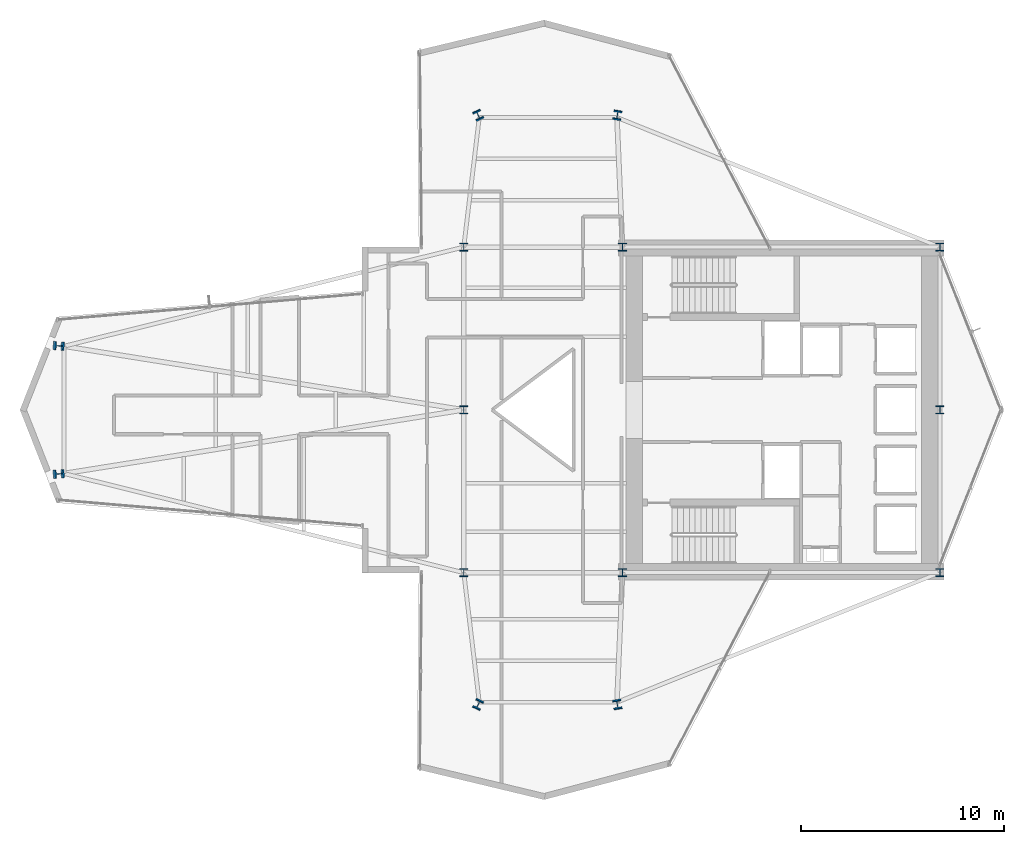
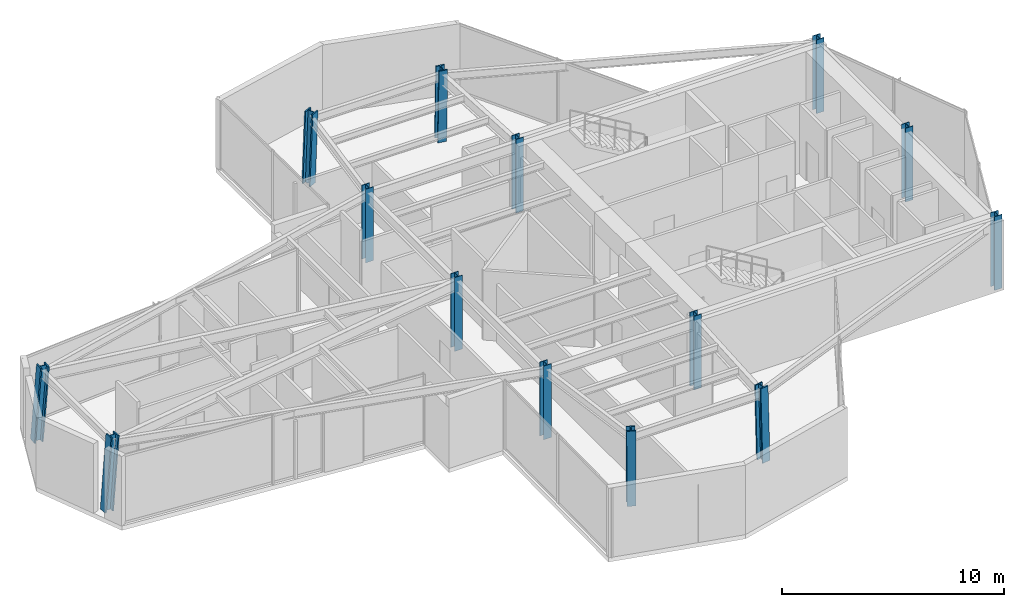
# One storey, part 1 of 25: 14 columns.
"""IFC4 building model written with IfcOpenShell, lengths in metres."""

from ifc_helpers import new_model, si_unit, direction, frame, origin, origin_2d, place, context, subcontext, project, spatial, i_section, extrude, material, material_profile, profile_set, type_object, element, save


model = new_model("IFC4")

# Units and contexts
model_context = context("Model", 3, precision=1e-05, world=origin(), true_north=direction((0.0, 1.0)))
body_context = subcontext(model_context, "Body", "Model", "MODEL_VIEW")
ifc_project = project(units=[si_unit("LENGTHUNIT", "METRE"), si_unit("AREAUNIT", "SQUARE_METRE"), si_unit("VOLUMEUNIT", "CUBIC_METRE"), si_unit("PLANEANGLEUNIT", "RADIAN"), si_unit("MASSUNIT", "GRAM", prefix="KILO")], contexts=[model_context])

# Site, building, storey
site_placement = place(None, origin())
site = spatial("IfcSite", under=ifc_project, at=site_placement, CompositionType="ELEMENT")
building_placement = place(site_placement, origin())
building = spatial("IfcBuilding", under=site, at=building_placement, Name="Veymaron Broadcast Tower", CompositionType="ELEMENT")
storey_placement = place(building_placement, frame((0.0, 0.0, 149.25)))
storey = spatial("IfcBuildingStorey", under=building, at=storey_placement, Name="L34", CompositionType="ELEMENT", Elevation=149.25)

# Columns
ifc_material_1 = material(Name="Structural steel ASTM A992 Gr 50", Category="steel")
ifc_material_profile_1 = material_profile(ifc_material_1, i_section(OverallWidth=0.39794921875, OverallDepth=0.386962890625, WebThickness=0.02099609375, FlangeThickness=0.033203125, at=origin_2d()), Name="W360X262")
ifc_profile_set_1 = profile_set([ifc_material_profile_1], Name="Structural steel ASTM A992 Gr 50")
column_type_1 = type_object("IfcColumnType", Name="COL-HC2", PredefinedType="COLUMN", material=ifc_profile_set_1)
for number, where, z_axis, x_axis, name in (
    (1, (31.199951171875, 16.0, 0.0), (0.0, 0.0, 1.0), (1.0, 0.0, 0.0), "L34 structural hub and core column"),
    (2, (31.199951171875, 24.0, 0.0), (0.0, 0.0, 1.0), (1.0, 0.0, 0.0), "L34 structural hub and core column"),
    (3, (31.199951171875, 32.0, 0.0), (0.0, 0.0, 1.0), (1.0, 0.0, 0.0), "L34 structural hub and core column"),
    (4, (39.0, 16.0, 0.0), (0.0, 0.0, 1.0), (1.0, 0.0, 0.0), "L34 structural hub and core column"),
    (5, (39.0, 32.0, 0.0), (0.0, 0.0, 1.0), (1.0, 0.0, 0.0), "L34 structural hub and core column"),
    (6, (54.60009765625, 16.0, 0.0), (0.0, 0.0, 1.0), (1.0, 0.0, 0.0), "L34 structural hub and core column"),
    (7, (54.60009765625, 24.0, 0.0), (0.0, 0.0, 1.0), (1.0, 0.0, 0.0), "L34 structural hub and core column"),
    (8, (54.60009765625, 32.0, 0.0), (0.0, 0.0, 1.0), (1.0, 0.0, 0.0), "L34 structural hub and core column"),
):
    element("IfcColumn", number, at=place(storey_placement, frame(where, z_axis=z_axis, x_axis=x_axis)), inside=storey, type_object=column_type_1, Name=name, PredefinedType="COLUMN", context=body_context, shape_type="SweptSolid", body=[
        extrude(i_section(OverallWidth=0.39794921875, OverallDepth=0.386962890625, WebThickness=0.02099609375, FlangeThickness=0.033203125, at=origin_2d()), origin(), (0.0, 0.0, 1.0), 4.0439453125),
    ])
ifc_material_2 = material(Name="Structural steel ASTM A913 Gr 65", Category="steel")
ifc_material_profile_2 = material_profile(ifc_material_2, i_section(OverallWidth=0.41796875, OverallDepth=0.455078125, WebThickness=0.0419921875, FlangeThickness=0.067626953125, at=origin_2d()), Name="W360X551")
ifc_profile_set_2 = profile_set([ifc_material_profile_2], Name="Structural steel ASTM A913 Gr 65")
column_type_2 = type_object("IfcColumnType", Name="COL-MC2", PredefinedType="COLUMN", material=ifc_profile_set_2)
for number, where, z_axis, x_axis, name in (
    (9, (11.25, 20.85009765625, 0.01611328125), (0.075374771445, 0.005453158706, 0.997140364688), (-0.072158669523, 0.997393165413, 0.0), "L34 Tapered Wing Mega Column"),
    (10, (11.25, 27.14990234375, 0.01611328125), (0.075374771445, -0.005453158706, 0.997140364688), (0.072158669523, 0.997393165413, 0.0), "L34 Tapered Wing Mega Column"),
):
    element("IfcColumn", number, at=place(storey_placement, frame(where, z_axis=z_axis, x_axis=x_axis)), inside=storey, type_object=column_type_2, Name=name, PredefinedType="COLUMN", context=body_context, shape_type="SweptSolid", body=[
        extrude(i_section(OverallWidth=0.41796875, OverallDepth=0.455078125, WebThickness=0.0419921875, FlangeThickness=0.067626953125, at=origin_2d()), origin(), (0.0, 0.0, 1.0), 4.029296875),
    ])
column_1_placement = place(storey_placement, frame((31.89990234375, 38.5, 0.01611328125), z_axis=(0.015363283856, -0.032851923186, 0.999342143939), x_axis=(0.905840633841, 0.423618632832, 0.0)))
element("IfcColumn", 11, at=column_1_placement, inside=storey, type_object=column_type_2, Name="L34 Tapered Wing Mega Column", PredefinedType="COLUMN", context=body_context, shape_type="SweptSolid", body=[
    extrude(i_section(OverallWidth=0.41796875, OverallDepth=0.455078125, WebThickness=0.0419921875, FlangeThickness=0.067626953125, at=origin_2d()), origin(), (0.0, 0.0, 1.0), 4.0205078125),
])
column_2_placement = place(storey_placement, frame((38.75, 38.5, 0.01611328125), z_axis=(-0.005465763236, -0.03285531012, 0.999445173098), x_axis=(0.986443159785, -0.164103298301, 0.0)))
element("IfcColumn", 12, at=column_2_placement, inside=storey, type_object=column_type_2, Name="L34 Tapered Wing Mega Column", PredefinedType="COLUMN", context=body_context, shape_type="SweptSolid", body=[
    extrude(i_section(OverallWidth=0.41796875, OverallDepth=0.455078125, WebThickness=0.0419921875, FlangeThickness=0.067626953125, at=origin_2d()), origin(), (0.0, 0.0, 1.0), 4.02001953125),
])
column_3_placement = place(storey_placement, frame((31.89990234375, 9.5, 0.01611328125), z_axis=(0.015363283856, 0.032851923186, 0.999342143939), x_axis=(-0.905840633841, 0.423618632832, 0.0)))
element("IfcColumn", 13, at=column_3_placement, inside=storey, type_object=column_type_2, Name="L34 Tapered Wing Mega Column", PredefinedType="COLUMN", context=body_context, shape_type="SweptSolid", body=[
    extrude(i_section(OverallWidth=0.41796875, OverallDepth=0.455078125, WebThickness=0.0419921875, FlangeThickness=0.067626953125, at=origin_2d()), origin(), (0.0, 0.0, 1.0), 4.0205078125),
])
column_4_placement = place(storey_placement, frame((38.75, 9.5, 0.01611328125), z_axis=(-0.005465763236, 0.03285531012, 0.999445173098), x_axis=(-0.986443159785, -0.164103298301, 0.0)))
element("IfcColumn", 14, at=column_4_placement, inside=storey, type_object=column_type_2, Name="L34 Tapered Wing Mega Column", PredefinedType="COLUMN", context=body_context, shape_type="SweptSolid", body=[
    extrude(i_section(OverallWidth=0.41796875, OverallDepth=0.455078125, WebThickness=0.0419921875, FlangeThickness=0.067626953125, at=origin_2d()), origin(), (0.0, 0.0, 1.0), 4.02001953125),
])

save(model, "model.ifc")
